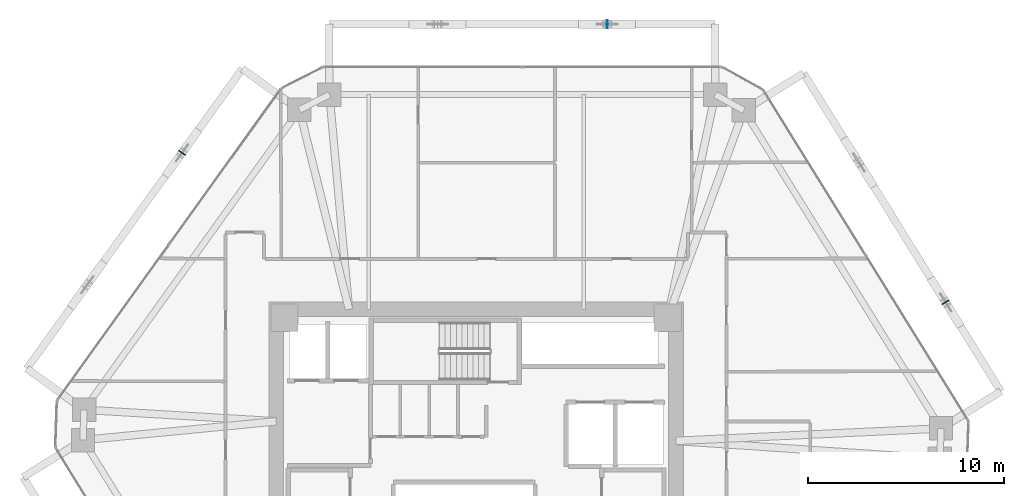
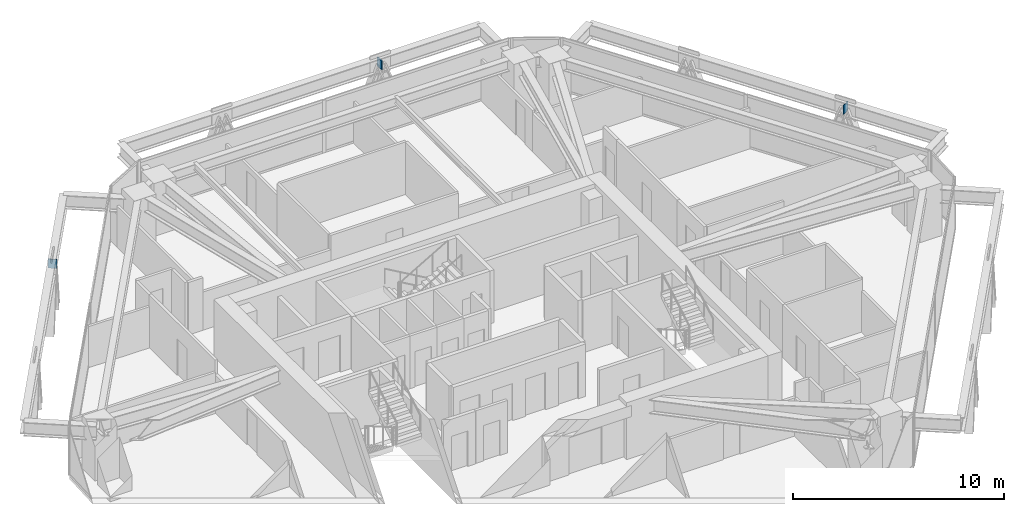
# One storey, part 11 of 16: 3 plates.
"""IFC4 building model written with IfcOpenShell, lengths in metres."""

from ifc_helpers import new_model, si_unit, direction, frame, origin, origin_2d, place, context, subcontext, project, spatial, rectangle, extrude, source, transform, mapped, material, layer, layer_set, type_object, type_shapes, element, save


model = new_model("IFC4")

# Units and contexts
model_context = context("Model", 3, precision=1e-05, world=origin(), true_north=direction((0.0, 1.0)))
body_context = subcontext(model_context, "Body", "Model", "MODEL_VIEW")
ifc_project = project(units=[si_unit("LENGTHUNIT", "METRE"), si_unit("AREAUNIT", "SQUARE_METRE"), si_unit("VOLUMEUNIT", "CUBIC_METRE"), si_unit("PLANEANGLEUNIT", "RADIAN"), si_unit("MASSUNIT", "GRAM", prefix="KILO")], contexts=[model_context])

# Site, building, storey
site_placement = place(None, origin())
site = spatial("IfcSite", under=ifc_project, at=site_placement, CompositionType="ELEMENT")
building_placement = place(site_placement, origin())
building = spatial("IfcBuilding", under=site, at=building_placement, Name="Durnholm Broadcast Tower", CompositionType="ELEMENT")
storey_placement = place(building_placement, frame((0.0, 0.0, 110.699951171875)))
storey = spatial("IfcBuildingStorey", under=building, at=storey_placement, Name="L29", CompositionType="ELEMENT", Elevation=110.699951171875)

# Plates
ifc_material = material(Name="Steel ASTM A572 Grade 50", Category="steel")
ifc_layer = layer(ifc_material, 0.044921875)
ifc_layer_set = layer_set([ifc_layer], Name="Steel ASTM A572 Grade 50")
plate_type = type_object("IfcPlateType", Name="PLT-KN-STIF", PredefinedType="SHEET", material=ifc_layer_set)
shared_shape = source(origin(), body_context, "Body", "SweptSolid", [
    extrude(rectangle(XDim=0.044921875, YDim=0.419921875, at=origin_2d()), origin(), (0.0, 0.0, 1.0), 0.52001953125),
])
type_shapes(plate_type, [shared_shape])
for number, where, z_axis, x_axis, name in (
    (1, (24.01513671875, 8.58837890625, 2.048583984375), (0.0, 0.0, 1.0), (-0.527104121728, 0.849800708906, 0.0), "L29 welded diagrid node stiffener plate F3"),
    (2, (6.7060546875, 22.81494140625, 2.048583984375), (0.0, 0.0, 1.0), (-1.0, 0.0, 0.0), "L29 welded diagrid node stiffener plate F4"),
    (3, (-15.040771484375, 16.234375, 2.048583984375), (0.0, 0.0, 1.0), (-0.583399467156, -0.812185361677, 0.0), "L29 welded diagrid node stiffener plate F5"),
):
    element("IfcPlate", number, at=place(storey_placement, frame(where, z_axis=z_axis, x_axis=x_axis)), inside=storey, type_object=plate_type, Name=name, PredefinedType="SHEET", context=body_context, shape_type="MappedRepresentation", body=[
        mapped(shared_shape, transform((0.0, 0.0, 0.0), x_axis=(1.0, 0.0, 0.0), y_axis=(0.0, 1.0, 0.0), z_axis=(0.0, 0.0, 1.0), scale=1.0)),
    ])

save(model, "model.ifc")
